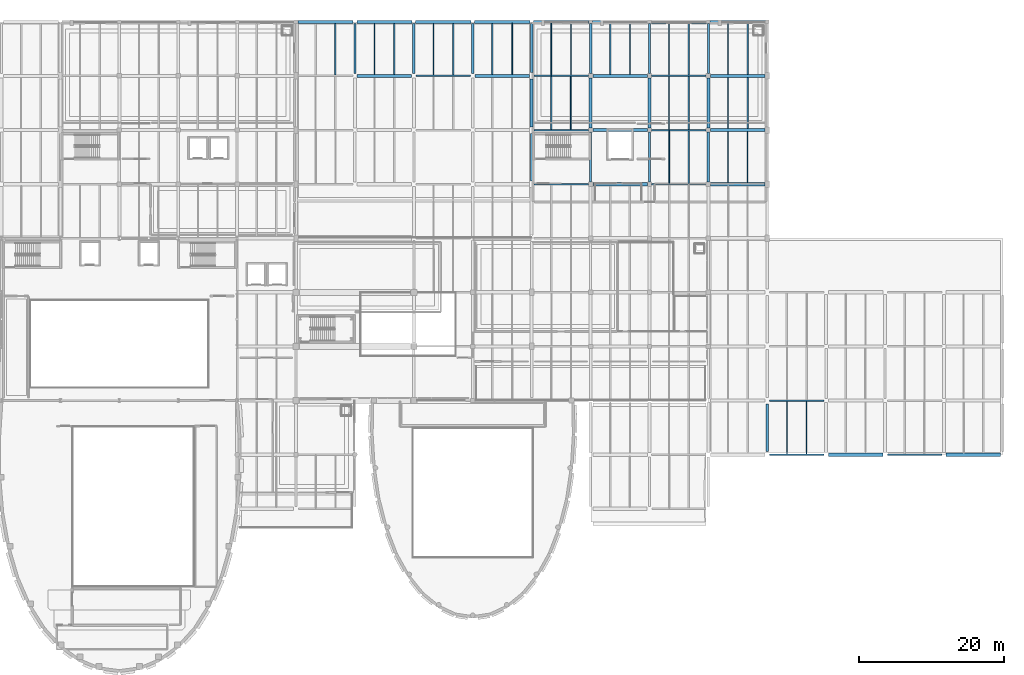
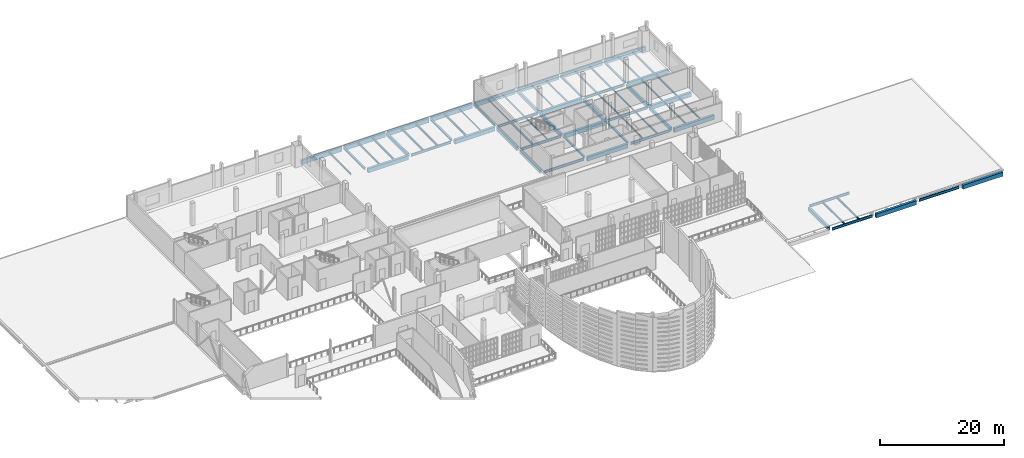
# One storey, part 33 of 73: 71 beams.
"""IFC4 building model written with IfcOpenShell, lengths in metres."""

from ifc_helpers import new_model, si_unit, direction, frame, origin, origin_2d, place, context, subcontext, project, spatial, rectangle, i_section, extrude, material, material_profile, profile_set, type_object, element, save


model = new_model("IFC4")

# Units and contexts
model_context = context("Model", 3, precision=1e-05, world=origin(), true_north=direction((0.0, 1.0)))
body_context = subcontext(model_context, "Body", "Model", "MODEL_VIEW")
ifc_project = project(units=[si_unit("LENGTHUNIT", "METRE"), si_unit("AREAUNIT", "SQUARE_METRE"), si_unit("VOLUMEUNIT", "CUBIC_METRE"), si_unit("PLANEANGLEUNIT", "RADIAN"), si_unit("MASSUNIT", "GRAM", prefix="KILO")], contexts=[model_context])

# Site, building, storey
site_placement = place(None, origin())
site = spatial("IfcSite", under=ifc_project, at=site_placement, CompositionType="ELEMENT")
building_placement = place(site_placement, origin())
building = spatial("IfcBuilding", under=site, at=building_placement, Name="Kaelora Sail Theatre", CompositionType="ELEMENT")
storey_placement = place(building_placement, frame((0.0, 0.0, 10.199951171875)))
storey = spatial("IfcBuildingStorey", under=building, at=storey_placement, Name="L02", CompositionType="ELEMENT", Elevation=10.199951171875)

# Beams
ifc_material_1 = material(Name="Steel S355", Category="steel")
ifc_material_profile_1 = material_profile(ifc_material_1, i_section(OverallWidth=0.300048828125, OverallDepth=0.31005859375, WebThickness=0.009033203125, FlangeThickness=0.015380859375, FilletRadius=0.027099609375, at=origin_2d()), Name="HEA 320")
ifc_profile_set_1 = profile_set([ifc_material_profile_1], Name="Steel S355")
beam_type_1 = type_object("IfcBeamType", Name="STR-BM-BM-HEA320", PredefinedType="BEAM", material=ifc_profile_set_1)
for number, where, z_axis, x_axis, name in (
    (1, (74.39990234375, 105.9599609375, -0.449951171875), (0.0, 1.0, 0.0), (-1.0, 0.0, 0.0), "Primary beam 10 O-P (L02)"),
    (2, (90.60009765625, 105.9599609375, -0.449951171875), (0.0, 1.0, 0.0), (-1.0, 0.0, 0.0), "Primary beam 12 O-P (L02)"),
):
    element("IfcBeam", number, at=place(storey_placement, frame(where, z_axis=z_axis, x_axis=x_axis)), inside=storey, type_object=beam_type_1, Name=name, PredefinedType="BEAM", context=body_context, shape_type="SweptSolid", body=[
        extrude(i_section(OverallWidth=0.300048828125, OverallDepth=0.31005859375, WebThickness=0.009033203125, FlangeThickness=0.015380859375, FilletRadius=0.027099609375, at=origin_2d()), origin(), (0.0, 0.0, 1.0), 6.89013671875),
    ])
beam_1_placement = place(storey_placement, frame((98.699951171875, 106.110107421875, -0.449951171875), z_axis=(0.0, 1.0, 0.0), x_axis=(-1.0, 0.0, 0.0)))
element("IfcBeam", 3, at=beam_1_placement, inside=storey, type_object=beam_type_1, Name="Primary beam 13 O-P (L02)", PredefinedType="BEAM", context=body_context, shape_type="SweptSolid", body=[
    extrude(i_section(OverallWidth=0.300048828125, OverallDepth=0.31005859375, WebThickness=0.009033203125, FlangeThickness=0.015380859375, FilletRadius=0.027099609375, at=origin_2d()), origin(), (0.0, 0.0, 1.0), 6.739990234375),
])
for number, where, z_axis, x_axis, name in (
    (4, (106.800048828125, 91.080078125, -0.449951171875), (0.0, 1.0, 0.0), (-1.0, 0.0, 0.0), "Primary beam 14 M-N (L02)"),
    (5, (114.89990234375, 91.080078125, -0.449951171875), (0.0, 1.0, 0.0), (-1.0, 0.0, 0.0), "Primary beam 15 M-N (L02)"),
):
    element("IfcBeam", number, at=place(storey_placement, frame(where, z_axis=z_axis, x_axis=x_axis)), inside=storey, type_object=beam_type_1, Name=name, PredefinedType="BEAM", context=body_context, shape_type="SweptSolid", body=[
        extrude(i_section(OverallWidth=0.300048828125, OverallDepth=0.31005859375, WebThickness=0.009033203125, FlangeThickness=0.015380859375, FilletRadius=0.027099609375, at=origin_2d()), origin(), (0.0, 0.0, 1.0), 6.83984375),
    ])
for number, where, z_axis, x_axis, name in (
    (6, (114.89990234375, 105.9599609375, -0.449951171875), (0.0, 1.0, 0.0), (-1.0, 0.0, 0.0), "Primary beam 15 O-P (L02)"),
    (7, (123.0, 105.9599609375, -0.449951171875), (0.0, 1.0, 0.0), (-1.0, 0.0, 0.0), "Primary beam 16 O-P (L02)"),
):
    element("IfcBeam", number, at=place(storey_placement, frame(where, z_axis=z_axis, x_axis=x_axis)), inside=storey, type_object=beam_type_1, Name=name, PredefinedType="BEAM", context=body_context, shape_type="SweptSolid", body=[
        extrude(i_section(OverallWidth=0.300048828125, OverallDepth=0.31005859375, WebThickness=0.009033203125, FlangeThickness=0.015380859375, FilletRadius=0.027099609375, at=origin_2d()), origin(), (0.0, 0.0, 1.0), 6.89013671875),
    ])
ifc_material_2 = material(Name="Steel S355", Category="steel")
ifc_material_profile_2 = material_profile(ifc_material_2, i_section(OverallWidth=0.18994140625, OverallDepth=0.449951171875, WebThickness=0.009521484375, FlangeThickness=0.0146484375, FilletRadius=0.02099609375, at=origin_2d()), Name="IPE 450")
ifc_profile_set_2 = profile_set([ifc_material_profile_2], Name="Steel S355")
beam_type_2 = type_object("IfcBeamType", Name="STR-BM-BM-IPE450", PredefinedType="BEAM", material=ifc_profile_set_2)
beam_2_placement = place(storey_placement, frame((87.89990234375, 105.760009765625, -0.52001953125), z_axis=(0.0, 1.0, 0.0), x_axis=(-1.0, 0.0, 0.0)))
element("IfcBeam", 8, at=beam_2_placement, inside=storey, type_object=beam_type_2, Name="Secondary floor joist 11/O-2 (L02)", PredefinedType="BEAM", context=body_context, shape_type="SweptSolid", body=[
    extrude(i_section(OverallWidth=0.18994140625, OverallDepth=0.449951171875, WebThickness=0.009521484375, FlangeThickness=0.0146484375, FilletRadius=0.02099609375, at=origin_2d()), origin(), (0.0, 0.0, 1.0), 7.139892578125),
])
beam_3_placement = place(storey_placement, frame((93.300048828125, 105.885009765625, -0.52001953125), z_axis=(0.0, 1.0, 0.0), x_axis=(-1.0, 0.0, 0.0)))
element("IfcBeam", 9, at=beam_3_placement, inside=storey, type_object=beam_type_2, Name="Secondary floor joist 12/O-1 (L02)", PredefinedType="BEAM", context=body_context, shape_type="SweptSolid", body=[
    extrude(i_section(OverallWidth=0.18994140625, OverallDepth=0.449951171875, WebThickness=0.009521484375, FlangeThickness=0.0146484375, FilletRadius=0.02099609375, at=origin_2d()), origin(), (0.0, 0.0, 1.0), 7.014892578125),
])
beam_4_placement = place(storey_placement, frame((101.39990234375, 98.320068359375, -0.52001953125), z_axis=(0.0, 1.0, 0.0), x_axis=(-1.0, 0.0, 0.0)))
element("IfcBeam", 10, at=beam_4_placement, inside=storey, type_object=beam_type_2, Name="Secondary floor joist 13/N-1 (L02)", PredefinedType="BEAM", context=body_context, shape_type="SweptSolid", body=[
    extrude(i_section(OverallWidth=0.18994140625, OverallDepth=0.449951171875, WebThickness=0.009521484375, FlangeThickness=0.0146484375, FilletRadius=0.02099609375, at=origin_2d()), origin(), (0.0, 0.0, 1.0), 7.239990234375),
])
ifc_material_3 = material(Name="Steel S355", Category="steel")
ifc_material_profile_3 = material_profile(ifc_material_3, i_section(OverallWidth=0.199951171875, OverallDepth=0.5, WebThickness=0.01025390625, FlangeThickness=0.01611328125, FilletRadius=0.02099609375, at=origin_2d()), Name="IPE 500")
ifc_profile_set_3 = profile_set([ifc_material_profile_3], Name="Steel S355")
beam_type_3 = type_object("IfcBeamType", Name="STR-BM-BM-IPE500", PredefinedType="BEAM", material=ifc_profile_set_3)
for number, where, z_axis, x_axis, name in (
    (11, (82.800048828125, 105.659912109375, -0.544921875), (1.0, 0.0, 0.0), (0.0, 1.0, 0.0), "Primary beam O 11-12 (L02)"),
    (12, (99.0, 90.780029296875, -0.544921875), (1.0, 0.0, 0.0), (0.0, 1.0, 0.0), "Primary beam M 13-14 (L02)"),
    (13, (99.0, 98.219970703125, -0.544921875), (1.0, 0.0, 0.0), (0.0, 1.0, 0.0), "Primary beam N 13-14 (L02)"),
    (14, (99.0, 105.659912109375, -0.544921875), (1.0, 0.0, 0.0), (0.0, 1.0, 0.0), "Primary beam O 13-14 (L02)"),
    (15, (115.199951171875, 90.780029296875, -0.544921875), (1.0, 0.0, 0.0), (0.0, 1.0, 0.0), "Primary beam M 15-16 (L02)"),
    (16, (115.199951171875, 98.219970703125, -0.544921875), (1.0, 0.0, 0.0), (0.0, 1.0, 0.0), "Primary beam N 15-16 (L02)"),
    (17, (115.199951171875, 105.659912109375, -0.544921875), (1.0, 0.0, 0.0), (0.0, 1.0, 0.0), "Primary beam O 15-16 (L02)"),
    (18, (131.39990234375, 53.580078125, -0.544921875), (1.0, 0.0, 0.0), (0.0, 1.0, 0.0), "Primary beam H 17-18 (L02)"),
    (19, (131.39990234375, 61.02001953125, -0.544921875), (1.0, 0.0, 0.0), (0.0, 1.0, 0.0), "Primary beam I 17-18 (L02)"),
    (20, (147.60009765625, 53.580078125, -0.544921875), (1.0, 0.0, 0.0), (0.0, 1.0, 0.0), "Primary beam H 19-20 (L02)"),
):
    element("IfcBeam", number, at=place(storey_placement, frame(where, z_axis=z_axis, x_axis=x_axis)), inside=storey, type_object=beam_type_3, Name=name, PredefinedType="BEAM", context=body_context, shape_type="SweptSolid", body=[
        extrude(i_section(OverallWidth=0.199951171875, OverallDepth=0.5, WebThickness=0.01025390625, FlangeThickness=0.01611328125, FilletRadius=0.02099609375, at=origin_2d()), origin(), (0.0, 0.0, 1.0), 7.5),
    ])
ifc_material_4 = material(Name="Concrete C40/50", Category="concrete")
ifc_material_profile_4 = material_profile(ifc_material_4, rectangle(XDim=0.35009765625, YDim=0.60009765625, at=origin_2d()), Name="RC-BM 350x600")
ifc_profile_set_4 = profile_set([ifc_material_profile_4], Name="Concrete C40/50")
beam_type_4 = type_object("IfcBeamType", Name="STR-BM-BM-RC3560", PredefinedType="BEAM", material=ifc_profile_set_4)
beam_5_placement = place(storey_placement, frame((82.5, 105.9599609375, -0.594970703125), z_axis=(0.0, 1.0, 0.0), x_axis=(-1.0, 0.0, 0.0)))
element("IfcBeam", 21, at=beam_5_placement, inside=storey, type_object=beam_type_4, Name="Primary beam 11 O-P (L02)", PredefinedType="BEAM", context=body_context, shape_type="SweptSolid", body=[
    extrude(rectangle(XDim=0.35009765625, YDim=0.60009765625, at=origin_2d()), origin(), (0.0, 0.0, 1.0), 6.89013671875),
])
beam_6_placement = place(storey_placement, frame((98.699951171875, 91.22998046875, -0.594970703125), z_axis=(0.0, 1.0, 0.0), x_axis=(-1.0, 0.0, 0.0)))
element("IfcBeam", 22, at=beam_6_placement, inside=storey, type_object=beam_type_4, Name="Primary beam 13 M-N (L02)", PredefinedType="BEAM", context=body_context, shape_type="SweptSolid", body=[
    extrude(rectangle(XDim=0.35009765625, YDim=0.60009765625, at=origin_2d()), origin(), (0.0, 0.0, 1.0), 6.5400390625),
])
beam_7_placement = place(storey_placement, frame((106.800048828125, 105.9599609375, -0.594970703125), z_axis=(0.0, 1.0, 0.0), x_axis=(-1.0, 0.0, 0.0)))
element("IfcBeam", 23, at=beam_7_placement, inside=storey, type_object=beam_type_4, Name="Primary beam 14 O-P (L02)", PredefinedType="BEAM", context=body_context, shape_type="SweptSolid", body=[
    extrude(rectangle(XDim=0.35009765625, YDim=0.60009765625, at=origin_2d()), origin(), (0.0, 0.0, 1.0), 6.89013671875),
])
beam_8_placement = place(storey_placement, frame((123.0, 91.080078125, -0.594970703125), z_axis=(0.0, 1.0, 0.0), x_axis=(-1.0, 0.0, 0.0)))
element("IfcBeam", 24, at=beam_8_placement, inside=storey, type_object=beam_type_4, Name="Primary beam 16 M-N (L02)", PredefinedType="BEAM", context=body_context, shape_type="SweptSolid", body=[
    extrude(rectangle(XDim=0.35009765625, YDim=0.60009765625, at=origin_2d()), origin(), (0.0, 0.0, 1.0), 6.83984375),
])
ifc_material_5 = material(Name="Concrete C40/50", Category="concrete")
ifc_material_profile_5 = material_profile(ifc_material_5, rectangle(XDim=0.39990234375, YDim=0.64990234375, at=origin_2d()), Name="RC-BM 400x650")
ifc_profile_set_5 = profile_set([ifc_material_profile_5], Name="Concrete C40/50")
beam_type_5 = type_object("IfcBeamType", Name="STR-BM-BM-RC4065", PredefinedType="BEAM", material=ifc_profile_set_5)
beam_9_placement = place(storey_placement, frame((98.699951171875, 98.669921875, -0.619873046875), z_axis=(0.0, 1.0, 0.0), x_axis=(-1.0, 0.0, 0.0)))
element("IfcBeam", 25, at=beam_9_placement, inside=storey, type_object=beam_type_5, Name="Primary beam 13 N-O (L02)", PredefinedType="BEAM", context=body_context, shape_type="SweptSolid", body=[
    extrude(rectangle(XDim=0.39990234375, YDim=0.64990234375, at=origin_2d()), origin(), (0.0, 0.0, 1.0), 6.5400390625),
])
for number, where, z_axis, x_axis, name in (
    (26, (106.800048828125, 98.52001953125, -0.619873046875), (0.0, 1.0, 0.0), (-1.0, 0.0, 0.0), "Primary beam 14 N-O (L02)"),
    (27, (114.89990234375, 98.52001953125, -0.619873046875), (0.0, 1.0, 0.0), (-1.0, 0.0, 0.0), "Primary beam 15 N-O (L02)"),
    (28, (123.0, 98.52001953125, -0.619873046875), (0.0, 1.0, 0.0), (-1.0, 0.0, 0.0), "Primary beam 16 N-O (L02)"),
):
    element("IfcBeam", number, at=place(storey_placement, frame(where, z_axis=z_axis, x_axis=x_axis)), inside=storey, type_object=beam_type_5, Name=name, PredefinedType="BEAM", context=body_context, shape_type="SweptSolid", body=[
        extrude(rectangle(XDim=0.39990234375, YDim=0.64990234375, at=origin_2d()), origin(), (0.0, 0.0, 1.0), 6.840087890625),
    ])
beam_10_placement = place(storey_placement, frame((131.10009765625, 54.030029296875, -0.619873046875), z_axis=(0.0, 1.0, 0.0), x_axis=(-1.0, 0.0, 0.0)))
element("IfcBeam", 29, at=beam_10_placement, inside=storey, type_object=beam_type_5, Name="Primary beam 17 H-I (L02)", PredefinedType="BEAM", context=body_context, shape_type="SweptSolid", body=[
    extrude(rectangle(XDim=0.39990234375, YDim=0.64990234375, at=origin_2d()), origin(), (0.0, 0.0, 1.0), 6.5400390625),
])
ifc_material_6 = material(Name="Concrete C45/55", Category="concrete")
ifc_material_profile_6 = material_profile(ifc_material_6, rectangle(XDim=0.449951171875, YDim=0.800048828125, at=origin_2d()), Name="RC-BM 450x800")
ifc_profile_set_6 = profile_set([ifc_material_profile_6], Name="Concrete C45/55")
beam_type_6 = type_object("IfcBeamType", Name="STR-BM-BM-RC4580", PredefinedType="BEAM", material=ifc_profile_set_6)
for number, where, z_axis, x_axis, name in (
    (30, (74.699951171875, 105.659912109375, -0.695068359375), (1.0, 0.0, 0.0), (0.0, 1.0, 0.0), "Primary beam O 10-11 (L02)"),
    (31, (90.89990234375, 105.659912109375, -0.695068359375), (1.0, 0.0, 0.0), (0.0, 1.0, 0.0), "Primary beam O 12-13 (L02)"),
    (32, (107.10009765625, 90.780029296875, -0.695068359375), (1.0, 0.0, 0.0), (0.0, 1.0, 0.0), "Primary beam M 14-15 (L02)"),
    (33, (107.10009765625, 98.219970703125, -0.695068359375), (1.0, 0.0, 0.0), (0.0, 1.0, 0.0), "Primary beam N 14-15 (L02)"),
    (34, (107.10009765625, 105.659912109375, -0.695068359375), (1.0, 0.0, 0.0), (0.0, 1.0, 0.0), "Primary beam O 14-15 (L02)"),
    (35, (123.300048828125, 90.780029296875, -0.695068359375), (1.0, 0.0, 0.0), (0.0, 1.0, 0.0), "Primary beam M 16-17 (L02)"),
    (36, (123.300048828125, 98.219970703125, -0.695068359375), (1.0, 0.0, 0.0), (0.0, 1.0, 0.0), "Primary beam N 16-17 (L02)"),
    (37, (123.300048828125, 105.659912109375, -0.695068359375), (1.0, 0.0, 0.0), (0.0, 1.0, 0.0), "Primary beam O 16-17 (L02)"),
    (38, (139.5, 53.580078125, -0.695068359375), (1.0, 0.0, 0.0), (0.0, 1.0, 0.0), "Primary beam H 18-19 (L02)"),
    (39, (155.699951171875, 53.580078125, -0.695068359375), (1.0, 0.0, 0.0), (0.0, 1.0, 0.0), "Primary beam H 20-21 (L02)"),
):
    element("IfcBeam", number, at=place(storey_placement, frame(where, z_axis=z_axis, x_axis=x_axis)), inside=storey, type_object=beam_type_6, Name=name, PredefinedType="BEAM", context=body_context, shape_type="SweptSolid", body=[
        extrude(rectangle(XDim=0.449951171875, YDim=0.800048828125, at=origin_2d()), origin(), (0.0, 0.0, 1.0), 7.5),
    ])
ifc_material_7 = material(Name="Steel S355", Category="steel")
ifc_material_profile_7 = material_profile(ifc_material_7, i_section(OverallWidth=0.135009765625, OverallDepth=0.27001953125, WebThickness=0.006591796875, FlangeThickness=0.01025390625, FilletRadius=0.014892578125, at=origin_2d()), Name="IPE 270")
ifc_profile_set_7 = profile_set([ifc_material_profile_7], Name="Steel S355")
beam_type_7 = type_object("IfcBeamType", Name="STR-BM-JS-IPE270", PredefinedType="JOIST", material=ifc_profile_set_7)
beam_11_placement = place(storey_placement, frame((96.0, 105.885009765625, -0.429931640625), z_axis=(0.0, 1.0, 0.0), x_axis=(-1.0, 0.0, 0.0)))
element("IfcBeam", 40, at=beam_11_placement, inside=storey, type_object=beam_type_7, Name="Secondary floor joist 12/O-2 (L02)", PredefinedType="JOIST", context=body_context, shape_type="SweptSolid", body=[
    extrude(i_section(OverallWidth=0.135009765625, OverallDepth=0.27001953125, WebThickness=0.006591796875, FlangeThickness=0.01025390625, FilletRadius=0.014892578125, at=origin_2d()), origin(), (0.0, 0.0, 1.0), 7.014892578125),
])
beam_12_placement = place(storey_placement, frame((104.10009765625, 98.320068359375, -0.429931640625), z_axis=(0.0, 1.0, 0.0), x_axis=(-1.0, 0.0, 0.0)))
element("IfcBeam", 41, at=beam_12_placement, inside=storey, type_object=beam_type_7, Name="Secondary floor joist 13/N-2 (L02)", PredefinedType="JOIST", context=body_context, shape_type="SweptSolid", body=[
    extrude(i_section(OverallWidth=0.135009765625, OverallDepth=0.27001953125, WebThickness=0.006591796875, FlangeThickness=0.01025390625, FilletRadius=0.014892578125, at=origin_2d()), origin(), (0.0, 0.0, 1.0), 7.239990234375),
])
beam_13_placement = place(storey_placement, frame((101.39990234375, 105.760009765625, -0.429931640625), z_axis=(0.0, 1.0, 0.0), x_axis=(-1.0, 0.0, 0.0)))
element("IfcBeam", 42, at=beam_13_placement, inside=storey, type_object=beam_type_7, Name="Secondary floor joist 13/O-1 (L02)", PredefinedType="JOIST", context=body_context, shape_type="SweptSolid", body=[
    extrude(i_section(OverallWidth=0.135009765625, OverallDepth=0.27001953125, WebThickness=0.006591796875, FlangeThickness=0.01025390625, FilletRadius=0.014892578125, at=origin_2d()), origin(), (0.0, 0.0, 1.0), 7.139892578125),
])
beam_14_placement = place(storey_placement, frame((117.60009765625, 90.8798828125, -0.429931640625), z_axis=(0.0, 1.0, 0.0), x_axis=(-1.0, 0.0, 0.0)))
element("IfcBeam", 43, at=beam_14_placement, inside=storey, type_object=beam_type_7, Name="Secondary floor joist 15/M-1 (L02)", PredefinedType="JOIST", context=body_context, shape_type="SweptSolid", body=[
    extrude(i_section(OverallWidth=0.135009765625, OverallDepth=0.27001953125, WebThickness=0.006591796875, FlangeThickness=0.01025390625, FilletRadius=0.014892578125, at=origin_2d()), origin(), (0.0, 0.0, 1.0), 7.240234375),
])
ifc_material_8 = material(Name="Steel S355", Category="steel")
ifc_material_profile_8 = material_profile(ifc_material_8, i_section(OverallWidth=0.14990234375, OverallDepth=0.300048828125, WebThickness=0.007080078125, FlangeThickness=0.0107421875, FilletRadius=0.014892578125, at=origin_2d()), Name="IPE 300")
ifc_profile_set_8 = profile_set([ifc_material_profile_8], Name="Steel S355")
beam_type_8 = type_object("IfcBeamType", Name="STR-BM-JS-IPE300", PredefinedType="JOIST", material=ifc_profile_set_8)
beam_15_placement = place(storey_placement, frame((104.10009765625, 105.760009765625, -0.445068359375), z_axis=(0.0, 1.0, 0.0), x_axis=(-1.0, 0.0, 0.0)))
element("IfcBeam", 44, at=beam_15_placement, inside=storey, type_object=beam_type_8, Name="Secondary floor joist 13/O-2 (L02)", PredefinedType="JOIST", context=body_context, shape_type="SweptSolid", body=[
    extrude(i_section(OverallWidth=0.14990234375, OverallDepth=0.300048828125, WebThickness=0.007080078125, FlangeThickness=0.0107421875, FilletRadius=0.014892578125, at=origin_2d()), origin(), (0.0, 0.0, 1.0), 7.139892578125),
])
beam_16_placement = place(storey_placement, frame((109.5, 105.885009765625, -0.445068359375), z_axis=(0.0, 1.0, 0.0), x_axis=(-1.0, 0.0, 0.0)))
element("IfcBeam", 45, at=beam_16_placement, inside=storey, type_object=beam_type_8, Name="Secondary floor joist 14/O-1 (L02)", PredefinedType="JOIST", context=body_context, shape_type="SweptSolid", body=[
    extrude(i_section(OverallWidth=0.14990234375, OverallDepth=0.300048828125, WebThickness=0.007080078125, FlangeThickness=0.0107421875, FilletRadius=0.014892578125, at=origin_2d()), origin(), (0.0, 0.0, 1.0), 7.014892578125),
])
beam_17_placement = place(storey_placement, frame((120.300048828125, 90.8798828125, -0.445068359375), z_axis=(0.0, 1.0, 0.0), x_axis=(-1.0, 0.0, 0.0)))
element("IfcBeam", 46, at=beam_17_placement, inside=storey, type_object=beam_type_8, Name="Secondary floor joist 15/M-2 (L02)", PredefinedType="JOIST", context=body_context, shape_type="SweptSolid", body=[
    extrude(i_section(OverallWidth=0.14990234375, OverallDepth=0.300048828125, WebThickness=0.007080078125, FlangeThickness=0.0107421875, FilletRadius=0.014892578125, at=origin_2d()), origin(), (0.0, 0.0, 1.0), 7.240234375),
])
beam_18_placement = place(storey_placement, frame((117.60009765625, 98.320068359375, -0.445068359375), z_axis=(0.0, 1.0, 0.0), x_axis=(-1.0, 0.0, 0.0)))
element("IfcBeam", 47, at=beam_18_placement, inside=storey, type_object=beam_type_8, Name="Secondary floor joist 15/N-1 (L02)", PredefinedType="JOIST", context=body_context, shape_type="SweptSolid", body=[
    extrude(i_section(OverallWidth=0.14990234375, OverallDepth=0.300048828125, WebThickness=0.007080078125, FlangeThickness=0.0107421875, FilletRadius=0.014892578125, at=origin_2d()), origin(), (0.0, 0.0, 1.0), 7.239990234375),
])
beam_19_placement = place(storey_placement, frame((125.699951171875, 91.0048828125, -0.445068359375), z_axis=(0.0, 1.0, 0.0), x_axis=(-1.0, 0.0, 0.0)))
element("IfcBeam", 48, at=beam_19_placement, inside=storey, type_object=beam_type_8, Name="Secondary floor joist 16/M-1 (L02)", PredefinedType="JOIST", context=body_context, shape_type="SweptSolid", body=[
    extrude(i_section(OverallWidth=0.14990234375, OverallDepth=0.300048828125, WebThickness=0.007080078125, FlangeThickness=0.0107421875, FilletRadius=0.014892578125, at=origin_2d()), origin(), (0.0, 0.0, 1.0), 6.990234375),
])
ifc_material_9 = material(Name="Steel S355", Category="steel")
ifc_material_profile_9 = material_profile(ifc_material_9, i_section(OverallWidth=0.159912109375, OverallDepth=0.330078125, WebThickness=0.007568359375, FlangeThickness=0.011474609375, FilletRadius=0.01806640625, at=origin_2d()), Name="IPE 330")
ifc_profile_set_9 = profile_set([ifc_material_profile_9], Name="Steel S355")
beam_type_9 = type_object("IfcBeamType", Name="STR-BM-JS-IPE330", PredefinedType="JOIST", material=ifc_profile_set_9)
beam_20_placement = place(storey_placement, frame((112.199951171875, 105.885009765625, -0.4599609375), z_axis=(0.0, 1.0, 0.0), x_axis=(-1.0, 0.0, 0.0)))
element("IfcBeam", 49, at=beam_20_placement, inside=storey, type_object=beam_type_9, Name="Secondary floor joist 14/O-2 (L02)", PredefinedType="JOIST", context=body_context, shape_type="SweptSolid", body=[
    extrude(i_section(OverallWidth=0.159912109375, OverallDepth=0.330078125, WebThickness=0.007568359375, FlangeThickness=0.011474609375, FilletRadius=0.01806640625, at=origin_2d()), origin(), (0.0, 0.0, 1.0), 7.014892578125),
])
beam_21_placement = place(storey_placement, frame((120.300048828125, 98.320068359375, -0.4599609375), z_axis=(0.0, 1.0, 0.0), x_axis=(-1.0, 0.0, 0.0)))
element("IfcBeam", 50, at=beam_21_placement, inside=storey, type_object=beam_type_9, Name="Secondary floor joist 15/N-2 (L02)", PredefinedType="JOIST", context=body_context, shape_type="SweptSolid", body=[
    extrude(i_section(OverallWidth=0.159912109375, OverallDepth=0.330078125, WebThickness=0.007568359375, FlangeThickness=0.011474609375, FilletRadius=0.01806640625, at=origin_2d()), origin(), (0.0, 0.0, 1.0), 7.239990234375),
])
beam_22_placement = place(storey_placement, frame((117.60009765625, 105.760009765625, -0.4599609375), z_axis=(0.0, 1.0, 0.0), x_axis=(-1.0, 0.0, 0.0)))
element("IfcBeam", 51, at=beam_22_placement, inside=storey, type_object=beam_type_9, Name="Secondary floor joist 15/O-1 (L02)", PredefinedType="JOIST", context=body_context, shape_type="SweptSolid", body=[
    extrude(i_section(OverallWidth=0.159912109375, OverallDepth=0.330078125, WebThickness=0.007568359375, FlangeThickness=0.011474609375, FilletRadius=0.01806640625, at=origin_2d()), origin(), (0.0, 0.0, 1.0), 7.139892578125),
])
beam_23_placement = place(storey_placement, frame((128.39990234375, 91.0048828125, -0.4599609375), z_axis=(0.0, 1.0, 0.0), x_axis=(-1.0, 0.0, 0.0)))
element("IfcBeam", 52, at=beam_23_placement, inside=storey, type_object=beam_type_9, Name="Secondary floor joist 16/M-2 (L02)", PredefinedType="JOIST", context=body_context, shape_type="SweptSolid", body=[
    extrude(i_section(OverallWidth=0.159912109375, OverallDepth=0.330078125, WebThickness=0.007568359375, FlangeThickness=0.011474609375, FilletRadius=0.01806640625, at=origin_2d()), origin(), (0.0, 0.0, 1.0), 6.990234375),
])
beam_24_placement = place(storey_placement, frame((125.699951171875, 98.445068359375, -0.4599609375), z_axis=(0.0, 1.0, 0.0), x_axis=(-1.0, 0.0, 0.0)))
element("IfcBeam", 53, at=beam_24_placement, inside=storey, type_object=beam_type_9, Name="Secondary floor joist 16/N-1 (L02)", PredefinedType="JOIST", context=body_context, shape_type="SweptSolid", body=[
    extrude(i_section(OverallWidth=0.159912109375, OverallDepth=0.330078125, WebThickness=0.007568359375, FlangeThickness=0.011474609375, FilletRadius=0.01806640625, at=origin_2d()), origin(), (0.0, 0.0, 1.0), 6.989990234375),
])
ifc_material_10 = material(Name="Steel S355", Category="steel")
ifc_material_profile_10 = material_profile(ifc_material_10, i_section(OverallWidth=0.169921875, OverallDepth=0.360107421875, WebThickness=0.008056640625, FlangeThickness=0.0126953125, FilletRadius=0.01806640625, at=origin_2d()), Name="IPE 360")
ifc_profile_set_10 = profile_set([ifc_material_profile_10], Name="Steel S355")
beam_type_10 = type_object("IfcBeamType", Name="STR-BM-JS-IPE360", PredefinedType="JOIST", material=ifc_profile_set_10)
beam_25_placement = place(storey_placement, frame((71.699951171875, 105.760009765625, -0.474853515625), z_axis=(0.0, 1.0, 0.0), x_axis=(-1.0, 0.0, 0.0)))
element("IfcBeam", 54, at=beam_25_placement, inside=storey, type_object=beam_type_10, Name="Secondary floor joist 9/O-2 (L02)", PredefinedType="JOIST", context=body_context, shape_type="SweptSolid", body=[
    extrude(i_section(OverallWidth=0.169921875, OverallDepth=0.360107421875, WebThickness=0.008056640625, FlangeThickness=0.0126953125, FilletRadius=0.01806640625, at=origin_2d()), origin(), (0.0, 0.0, 1.0), 7.139892578125),
])
beam_26_placement = place(storey_placement, frame((77.10009765625, 105.885009765625, -0.474853515625), z_axis=(0.0, 1.0, 0.0), x_axis=(-1.0, 0.0, 0.0)))
element("IfcBeam", 55, at=beam_26_placement, inside=storey, type_object=beam_type_10, Name="Secondary floor joist 10/O-1 (L02)", PredefinedType="JOIST", context=body_context, shape_type="SweptSolid", body=[
    extrude(i_section(OverallWidth=0.169921875, OverallDepth=0.360107421875, WebThickness=0.008056640625, FlangeThickness=0.0126953125, FilletRadius=0.01806640625, at=origin_2d()), origin(), (0.0, 0.0, 1.0), 7.014892578125),
])
beam_27_placement = place(storey_placement, frame((120.300048828125, 105.760009765625, -0.474853515625), z_axis=(0.0, 1.0, 0.0), x_axis=(-1.0, 0.0, 0.0)))
element("IfcBeam", 56, at=beam_27_placement, inside=storey, type_object=beam_type_10, Name="Secondary floor joist 15/O-2 (L02)", PredefinedType="JOIST", context=body_context, shape_type="SweptSolid", body=[
    extrude(i_section(OverallWidth=0.169921875, OverallDepth=0.360107421875, WebThickness=0.008056640625, FlangeThickness=0.0126953125, FilletRadius=0.01806640625, at=origin_2d()), origin(), (0.0, 0.0, 1.0), 7.139892578125),
])
beam_28_placement = place(storey_placement, frame((128.39990234375, 98.445068359375, -0.474853515625), z_axis=(0.0, 1.0, 0.0), x_axis=(-1.0, 0.0, 0.0)))
element("IfcBeam", 57, at=beam_28_placement, inside=storey, type_object=beam_type_10, Name="Secondary floor joist 16/N-2 (L02)", PredefinedType="JOIST", context=body_context, shape_type="SweptSolid", body=[
    extrude(i_section(OverallWidth=0.169921875, OverallDepth=0.360107421875, WebThickness=0.008056640625, FlangeThickness=0.0126953125, FilletRadius=0.01806640625, at=origin_2d()), origin(), (0.0, 0.0, 1.0), 6.989990234375),
])
beam_29_placement = place(storey_placement, frame((125.699951171875, 105.885009765625, -0.474853515625), z_axis=(0.0, 1.0, 0.0), x_axis=(-1.0, 0.0, 0.0)))
element("IfcBeam", 58, at=beam_29_placement, inside=storey, type_object=beam_type_10, Name="Secondary floor joist 16/O-1 (L02)", PredefinedType="JOIST", context=body_context, shape_type="SweptSolid", body=[
    extrude(i_section(OverallWidth=0.169921875, OverallDepth=0.360107421875, WebThickness=0.008056640625, FlangeThickness=0.0126953125, FilletRadius=0.01806640625, at=origin_2d()), origin(), (0.0, 0.0, 1.0), 7.014892578125),
])
beam_30_placement = place(storey_placement, frame((133.800048828125, 53.679931640625, -0.474853515625), z_axis=(0.0, 1.0, 0.0), x_axis=(-1.0, 0.0, 0.0)))
element("IfcBeam", 59, at=beam_30_placement, inside=storey, type_object=beam_type_10, Name="Secondary floor joist 17/H-1 (L02)", PredefinedType="JOIST", context=body_context, shape_type="SweptSolid", body=[
    extrude(i_section(OverallWidth=0.169921875, OverallDepth=0.360107421875, WebThickness=0.008056640625, FlangeThickness=0.0126953125, FilletRadius=0.01806640625, at=origin_2d()), origin(), (0.0, 0.0, 1.0), 7.239990234375),
])
ifc_material_11 = material(Name="Steel S355", Category="steel")
ifc_material_profile_11 = material_profile(ifc_material_11, i_section(OverallWidth=0.179931640625, OverallDepth=0.39990234375, WebThickness=0.008544921875, FlangeThickness=0.013427734375, FilletRadius=0.02099609375, at=origin_2d()), Name="IPE 400")
ifc_profile_set_11 = profile_set([ifc_material_profile_11], Name="Steel S355")
beam_type_11 = type_object("IfcBeamType", Name="STR-BM-JS-IPE400", PredefinedType="JOIST", material=ifc_profile_set_11)
beam_31_placement = place(storey_placement, frame((79.800048828125, 105.885009765625, -0.494873046875), z_axis=(0.0, 1.0, 0.0), x_axis=(-1.0, 0.0, 0.0)))
element("IfcBeam", 60, at=beam_31_placement, inside=storey, type_object=beam_type_11, Name="Secondary floor joist 10/O-2 (L02)", PredefinedType="JOIST", context=body_context, shape_type="SweptSolid", body=[
    extrude(i_section(OverallWidth=0.179931640625, OverallDepth=0.39990234375, WebThickness=0.008544921875, FlangeThickness=0.013427734375, FilletRadius=0.02099609375, at=origin_2d()), origin(), (0.0, 0.0, 1.0), 7.014892578125),
])
beam_32_placement = place(storey_placement, frame((85.199951171875, 105.760009765625, -0.494873046875), z_axis=(0.0, 1.0, 0.0), x_axis=(-1.0, 0.0, 0.0)))
element("IfcBeam", 61, at=beam_32_placement, inside=storey, type_object=beam_type_11, Name="Secondary floor joist 11/O-1 (L02)", PredefinedType="JOIST", context=body_context, shape_type="SweptSolid", body=[
    extrude(i_section(OverallWidth=0.179931640625, OverallDepth=0.39990234375, WebThickness=0.008544921875, FlangeThickness=0.013427734375, FilletRadius=0.02099609375, at=origin_2d()), origin(), (0.0, 0.0, 1.0), 7.139892578125),
])
beam_33_placement = place(storey_placement, frame((128.39990234375, 105.885009765625, -0.494873046875), z_axis=(0.0, 1.0, 0.0), x_axis=(-1.0, 0.0, 0.0)))
element("IfcBeam", 62, at=beam_33_placement, inside=storey, type_object=beam_type_11, Name="Secondary floor joist 16/O-2 (L02)", PredefinedType="JOIST", context=body_context, shape_type="SweptSolid", body=[
    extrude(i_section(OverallWidth=0.179931640625, OverallDepth=0.39990234375, WebThickness=0.008544921875, FlangeThickness=0.013427734375, FilletRadius=0.02099609375, at=origin_2d()), origin(), (0.0, 0.0, 1.0), 7.014892578125),
])
beam_34_placement = place(storey_placement, frame((136.5, 53.679931640625, -0.494873046875), z_axis=(0.0, 1.0, 0.0), x_axis=(-1.0, 0.0, 0.0)))
element("IfcBeam", 63, at=beam_34_placement, inside=storey, type_object=beam_type_11, Name="Secondary floor joist 17/H-2 (L02)", PredefinedType="JOIST", context=body_context, shape_type="SweptSolid", body=[
    extrude(i_section(OverallWidth=0.179931640625, OverallDepth=0.39990234375, WebThickness=0.008544921875, FlangeThickness=0.013427734375, FilletRadius=0.02099609375, at=origin_2d()), origin(), (0.0, 0.0, 1.0), 7.239990234375),
])
ifc_material_12 = material(Name="Concrete C45/55", Category="concrete")
ifc_material_profile_12 = material_profile(ifc_material_12, rectangle(XDim=0.39990234375, YDim=0.85009765625, at=origin_2d()), Name="RC-SPN 400x850")
ifc_profile_set_12 = profile_set([ifc_material_profile_12], Name="Concrete C45/55")
beam_type_12 = type_object("IfcBeamType", Name="STR-BM-SP-RC4085", PredefinedType="SPANDREL", material=ifc_profile_set_12)
beam_35_placement = place(storey_placement, frame((66.550048828125, 113.10009765625, -0.719970703125), z_axis=(1.0, 0.0, 0.0), x_axis=(0.0, 1.0, 0.0)))
element("IfcBeam", 64, at=beam_35_placement, inside=storey, type_object=beam_type_12, Name="Primary beam P 9-10 (L02)", PredefinedType="SPANDREL", context=body_context, shape_type="SweptSolid", body=[
    extrude(rectangle(XDim=0.39990234375, YDim=0.85009765625, at=origin_2d()), origin(), (0.0, 0.0, 1.0), 7.599853515625),
])
for number, where, z_axis, x_axis, name in (
    (65, (74.64990234375, 113.10009765625, -0.719970703125), (1.0, 0.0, 0.0), (0.0, 1.0, 0.0), "Primary beam P 10-11 (L02)"),
    (66, (82.75, 113.10009765625, -0.719970703125), (1.0, 0.0, 0.0), (0.0, 1.0, 0.0), "Primary beam P 11-12 (L02)"),
):
    element("IfcBeam", number, at=place(storey_placement, frame(where, z_axis=z_axis, x_axis=x_axis)), inside=storey, type_object=beam_type_12, Name=name, PredefinedType="SPANDREL", context=body_context, shape_type="SweptSolid", body=[
        extrude(rectangle(XDim=0.39990234375, YDim=0.85009765625, at=origin_2d()), origin(), (0.0, 0.0, 1.0), 7.60009765625),
    ])
beam_36_placement = place(storey_placement, frame((90.85009765625, 113.10009765625, -0.719970703125), z_axis=(1.0, 0.0, 0.0), x_axis=(0.0, 1.0, 0.0)))
element("IfcBeam", 67, at=beam_36_placement, inside=storey, type_object=beam_type_12, Name="Primary beam P 12-13 (L02)", PredefinedType="SPANDREL", context=body_context, shape_type="SweptSolid", body=[
    extrude(rectangle(XDim=0.39990234375, YDim=0.85009765625, at=origin_2d()), origin(), (0.0, 0.0, 1.0), 7.599853515625),
])
beam_37_placement = place(storey_placement, frame((98.949951171875, 113.10009765625, -0.719970703125), z_axis=(1.0, 0.0, 0.0), x_axis=(0.0, 1.0, 0.0)))
element("IfcBeam", 68, at=beam_37_placement, inside=storey, type_object=beam_type_12, Name="Primary beam P 13-14 (L02)", PredefinedType="SPANDREL", context=body_context, shape_type="SweptSolid", body=[
    extrude(rectangle(XDim=0.39990234375, YDim=0.85009765625, at=origin_2d()), origin(), (0.0, 0.0, 1.0), 7.60009765625),
])
beam_38_placement = place(storey_placement, frame((107.050048828125, 113.10009765625, -0.719970703125), z_axis=(1.0, 0.0, 0.0), x_axis=(0.0, 1.0, 0.0)))
element("IfcBeam", 69, at=beam_38_placement, inside=storey, type_object=beam_type_12, Name="Primary beam P 14-15 (L02)", PredefinedType="SPANDREL", context=body_context, shape_type="SweptSolid", body=[
    extrude(rectangle(XDim=0.39990234375, YDim=0.85009765625, at=origin_2d()), origin(), (0.0, 0.0, 1.0), 7.599853515625),
])
for number, where, z_axis, x_axis, name in (
    (70, (115.14990234375, 113.10009765625, -0.719970703125), (1.0, 0.0, 0.0), (0.0, 1.0, 0.0), "Primary beam P 15-16 (L02)"),
    (71, (123.25, 113.10009765625, -0.719970703125), (1.0, 0.0, 0.0), (0.0, 1.0, 0.0), "Primary beam P 16-17 (L02)"),
):
    element("IfcBeam", number, at=place(storey_placement, frame(where, z_axis=z_axis, x_axis=x_axis)), inside=storey, type_object=beam_type_12, Name=name, PredefinedType="SPANDREL", context=body_context, shape_type="SweptSolid", body=[
        extrude(rectangle(XDim=0.39990234375, YDim=0.85009765625, at=origin_2d()), origin(), (0.0, 0.0, 1.0), 7.60009765625),
    ])

save(model, "model.ifc")
